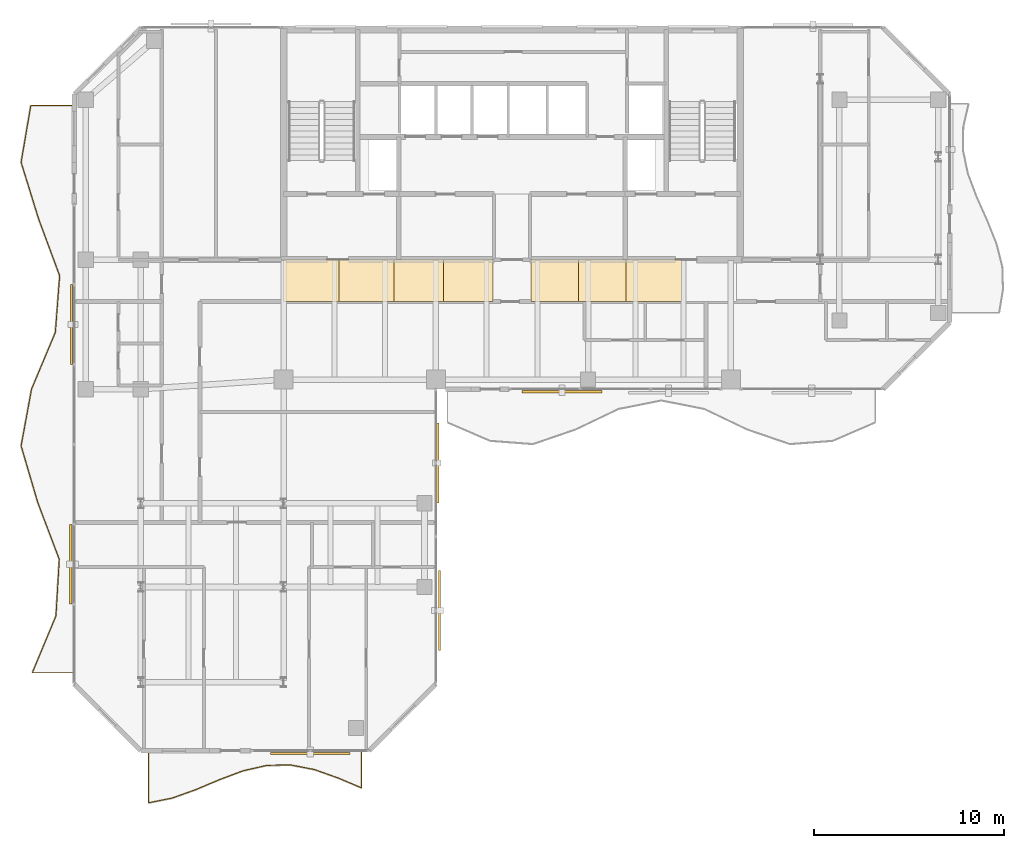
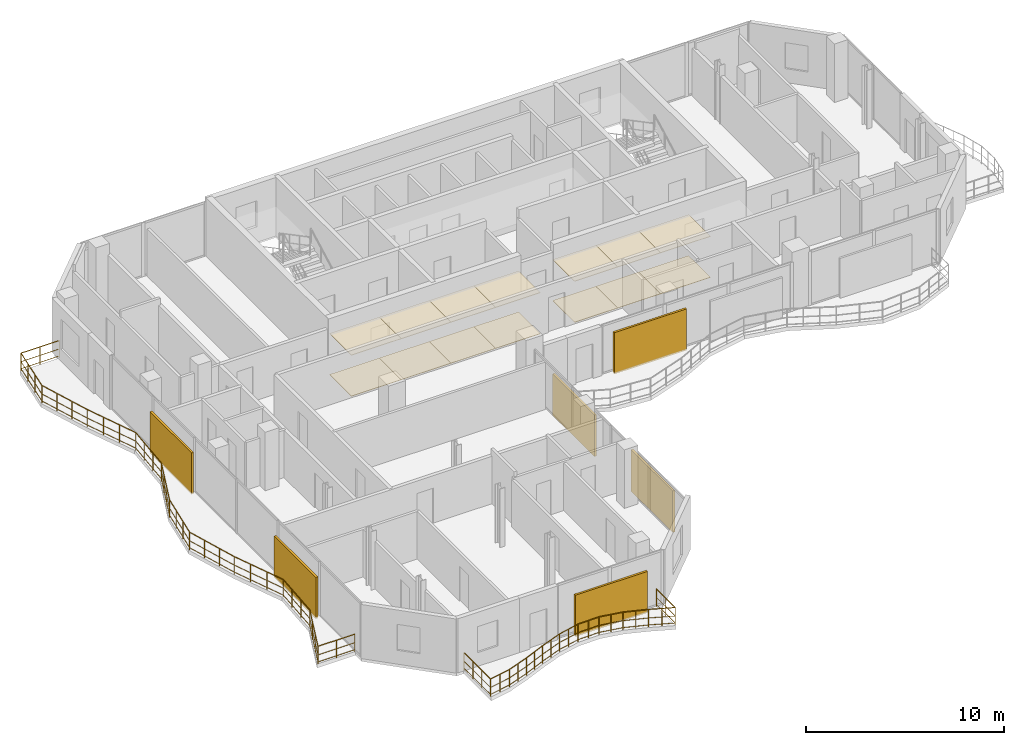
# One storey, part 21 of 23: 14 coverings, 6 shading devices, 2 railings.
"""IFC4 building model written with IfcOpenShell, lengths in metres."""

import ifcopenshell
import ifcopenshell.guid

model = None  # the IFC model being written
_history = None  # IfcOwnerHistory: only IFC2X3 demands one
_inside = {}  # id of a spatial element -> (the spatial element, [elements in it])
_under = {}  # id of a project, library or spatial element -> (it, [spatial elements below it])
_declared = {}  # id of a project -> (the project, [libraries it declares])
_typed = {}  # id of a type object -> (the type object, [elements of that type])
_made_of = {}  # id of a material, layer set ... -> (it, [elements and type objects made of it])


def new_model(schema):
    """Start an empty IFC model of exactly this schema.

    Asked for "IFC4X3", IfcOpenShell would pick the latest addendum, in which some entities
    have other attributes; the version numbers below select the first issue.
    IFC2X3 requires an IfcOwnerHistory on every rooted entity: one is made here for all.
    """
    global model, _history
    if schema == "IFC4X3":
        model = ifcopenshell.file(schema_version=(4, 3, 0, 0))
    else:
        model = ifcopenshell.file(schema=schema)
    _inside.clear()
    _under.clear()
    _declared.clear()
    _typed.clear()
    _made_of.clear()
    _history = None
    if model.schema == "IFC2X3":
        org = make("IfcOrganization", Name="unknown")
        user = make(
            "IfcPersonAndOrganization",
            ThePerson=make("IfcPerson", FamilyName="unknown"),
            TheOrganization=org,
        )
        app = make(
            "IfcApplication",
            ApplicationDeveloper=org,
            Version="unknown",
            ApplicationFullName="unknown",
            ApplicationIdentifier="unknown",
        )
        _history = make(
            "IfcOwnerHistory",
            OwningUser=user,
            OwningApplication=app,
            ChangeAction="ADDED",
            CreationDate=0,
        )
    return model


def make(cls, **values):
    """One entity of the class cls with the attributes given. An attribute that is None is left unset."""
    return model.create_entity(
        cls, **{name: value for name, value in values.items() if value is not None}
    )


def rooted(cls, **values):
    """An entity with a GlobalId (a new one), such as an element, a storey or a relation."""
    return make(cls, GlobalId=ifcopenshell.guid.new(), OwnerHistory=_history, **values)


def si_unit(unit_type, name, prefix=None):
    """IfcSIUnit, for example si_unit("LENGTHUNIT", "METRE", prefix="MILLI")."""
    return make("IfcSIUnit", UnitType=unit_type, Prefix=prefix, Name=name)


def assignment(units):
    """IfcUnitAssignment: the units of a project."""
    return None if units is None else make("IfcUnitAssignment", Units=units)


def point(xyz):
    """IfcCartesianPoint."""
    return None if xyz is None else make("IfcCartesianPoint", Coordinates=xyz)


def direction(xyz):
    """IfcDirection."""
    return None if xyz is None else make("IfcDirection", DirectionRatios=xyz)


def frame(location, z_axis=None, x_axis=None):
    """IfcAxis2Placement3D, a coordinate frame: its origin and axes. An axis left out is left unset."""
    return make(
        "IfcAxis2Placement3D",
        Location=point(location),
        Axis=direction(z_axis),
        RefDirection=direction(x_axis),
    )


def frame_2d(location, x_axis=None):
    """IfcAxis2Placement2D, a coordinate frame in the plane: its origin and x axis."""
    return make(
        "IfcAxis2Placement2D", Location=point(location), RefDirection=direction(x_axis)
    )


def origin():
    """The frame at (0, 0, 0) with its axes left unset."""
    return frame((0.0, 0.0, 0.0))


def origin_2d():
    """The frame at (0, 0) in the plane with its x axis left unset."""
    return frame_2d((0.0, 0.0))


def place(relative_to, where):
    """IfcLocalPlacement: puts the frame where relative to a parent placement (None: the world)."""
    return make(
        "IfcLocalPlacement", PlacementRelTo=relative_to, RelativePlacement=where
    )


def context(
    kind, dimensions, precision=None, world=None, true_north=None, identifier=None
):
    """IfcGeometricRepresentationContext, for example the 3D "Model" context."""
    return make(
        "IfcGeometricRepresentationContext",
        ContextIdentifier=identifier,
        ContextType=kind,
        CoordinateSpaceDimension=dimensions,
        Precision=precision,
        WorldCoordinateSystem=world,
        TrueNorth=true_north,
    )


def subcontext(parent, identifier, kind, view, scale=None):
    """IfcGeometricRepresentationSubContext, for example "Body" below "Model"."""
    return make(
        "IfcGeometricRepresentationSubContext",
        ContextIdentifier=identifier,
        ContextType=kind,
        ParentContext=parent,
        TargetScale=scale,
        TargetView=view,
    )


def project(units=None, contexts=None):
    """IfcProject with its units and contexts."""
    return rooted(
        "IfcProject",
        Name="project",
        RepresentationContexts=contexts,
        UnitsInContext=assignment(units),
    )


def spatial(cls, under=None, at=None, **own):
    """A site, building, storey or space (cls), placed at a placement, below another one or the project."""
    s = rooted(cls, ObjectPlacement=at, **own)
    if under is not None:
        _under.setdefault(under.id(), (under, []))[1].append(s)
    return s


def polyline(points):
    """IfcPolyline through the points."""
    return make("IfcPolyline", Points=[point(p) for p in points])


def profile(cls, at=None, kind="AREA", **sizes):
    """A parametric profile (cls). Its sizes go by their IFC names, for example OverallWidth=200.0."""
    return make(cls, ProfileType=kind, Position=at, **sizes)


def rectangle(**sizes):
    """IfcRectangleProfileDef."""
    return profile("IfcRectangleProfileDef", **sizes)


def circle(**sizes):
    """IfcCircleProfileDef."""
    return profile("IfcCircleProfileDef", **sizes)


def outline(outer, holes=None, kind="AREA"):
    """IfcArbitraryClosedProfileDef: a profile drawn as a closed curve; with holes, ...WithVoids."""
    if holes is None:
        return make("IfcArbitraryClosedProfileDef", ProfileType=kind, OuterCurve=outer)
    return make(
        "IfcArbitraryProfileDefWithVoids",
        ProfileType=kind,
        OuterCurve=outer,
        InnerCurves=holes,
    )


def extrude(swept, where, along, depth):
    """IfcExtrudedAreaSolid: the profile swept, set in the frame where, extruded along a direction by depth."""
    return make(
        "IfcExtrudedAreaSolid",
        SweptArea=swept,
        Position=where,
        ExtrudedDirection=direction(along),
        Depth=depth,
    )


def shape(context_of_items, identifier, shape_type, items):
    """IfcShapeRepresentation: the items that make up one representation, for example the "Body"."""
    return make(
        "IfcShapeRepresentation",
        ContextOfItems=context_of_items,
        RepresentationIdentifier=identifier,
        RepresentationType=shape_type,
        Items=items,
    )


def material(Name=None, Category=None):
    """IfcMaterial."""
    return make("IfcMaterial", Name=Name, Category=Category)


def layer(
    of_material, thickness, ventilated=None, Name=None, Category=None, Priority=None
):
    """IfcMaterialLayer: one layer of a wall or slab, of a material (None: an air gap)."""
    return make(
        "IfcMaterialLayer",
        Material=of_material,
        LayerThickness=thickness,
        IsVentilated=ventilated,
        Name=Name,
        Category=Category,
        Priority=Priority,
    )


def layer_set(layers, Name=None):
    """IfcMaterialLayerSet."""
    return make("IfcMaterialLayerSet", MaterialLayers=layers, LayerSetName=Name)


def made_of(thing, what):
    """Note that an element or type object is made of a material, layer set ...; save() writes the relation."""
    if what is not None:
        _made_of.setdefault(what.id(), (what, []))[1].append(thing)
    return thing


def type_object(cls, material=None, **own):
    """A type object (cls), such as IfcWallType, which elements share."""
    return made_of(rooted(cls, **own), material)


def element(
    cls,
    number,
    at=None,
    inside=None,
    cuts=None,
    type_object=None,
    material=None,
    context=None,
    identifier="Body",
    shape_type=None,
    held_by="IfcProductDefinitionShape",
    body=None,
    shapes=None,
    **own,
):
    """One element of the class cls, such as IfcWall. Its Tag is "e" and its number.

    at: its placement. inside: the storey or other place that contains it. cuts: it is an
    opening in that element (IfcRelVoidsElement). A single representation is given by context,
    identifier, shape_type and body (its items); several are given by shapes. held_by: the class
    of the entity that holds the representations. save() writes the other relations.
    """
    e = rooted(cls, Tag="e%d" % number, ObjectPlacement=at, **own)
    if body is not None:
        shapes = [shape(context, identifier, shape_type, body)]
    if shapes is not None:
        e.Representation = make(held_by, Representations=shapes)
    if inside is not None:
        _inside.setdefault(inside.id(), (inside, []))[1].append(e)
    if cuts is not None:
        rooted(
            "IfcRelVoidsElement", RelatingBuildingElement=cuts, RelatedOpeningElement=e
        )
    if type_object is not None:
        _typed.setdefault(type_object.id(), (type_object, []))[1].append(e)
    return made_of(e, material)


def aggregate(whole, parts):
    """IfcRelAggregates: a whole, such as a stair, and the parts it consists of."""
    return rooted("IfcRelAggregates", RelatingObject=whole, RelatedObjects=parts)


def save(model, path):
    """Write the relations noted so far, then the file.

    IfcRelAggregates (storeys below a building ...), IfcRelContainedInSpatialStructure (elements
    in a storey), IfcRelDefinesByType, IfcRelAssociatesMaterial and IfcRelDeclares: one each for
    every whole, place, type object, material and project.
    """
    for whole, parts in _under.values():
        aggregate(whole, parts)
    for where, things in _inside.values():
        rooted(
            "IfcRelContainedInSpatialStructure",
            RelatedElements=things,
            RelatingStructure=where,
        )
    for kind, things in _typed.values():
        rooted("IfcRelDefinesByType", RelatedObjects=things, RelatingType=kind)
    for what, things in _made_of.values():
        rooted("IfcRelAssociatesMaterial", RelatedObjects=things, RelatingMaterial=what)
    for by, libraries in _declared.values():
        rooted("IfcRelDeclares", RelatingContext=by, RelatedDefinitions=libraries)
    model.write(path)


model = new_model("IFC4")

# Units and contexts
model_context = context("Model", 3, precision=1e-05, world=origin(), true_north=direction((0.0, 1.0)))
body_context = subcontext(model_context, "Body", "Model", "MODEL_VIEW")
ifc_project = project(units=[si_unit("LENGTHUNIT", "METRE"), si_unit("AREAUNIT", "SQUARE_METRE"), si_unit("VOLUMEUNIT", "CUBIC_METRE"), si_unit("PLANEANGLEUNIT", "RADIAN"), si_unit("MASSUNIT", "GRAM", prefix="KILO")], contexts=[model_context])

# Site, building, storey
site_placement = place(None, origin())
site = spatial("IfcSite", under=ifc_project, at=site_placement, CompositionType="ELEMENT")
building_placement = place(site_placement, origin())
building = spatial("IfcBuilding", under=site, at=building_placement, Name="Catumbela Crestline Tower", CompositionType="ELEMENT")
storey_placement = place(building_placement, frame((0.0, 0.0, 190.2)))
storey = spatial("IfcBuildingStorey", under=building, at=storey_placement, Name="L49", CompositionType="ELEMENT", Elevation=190.2)

# Coverings
ifc_material_1 = material(Name="Mineral-fibre acoustic ceiling")
ifc_layer_1 = layer(ifc_material_1, 0.03, Name="Mineral-fibre acoustic ceiling")
ifc_layer_set_1 = layer_set([ifc_layer_1], Name="Mineral-fibre acoustic ceiling")
covering_type_1 = type_object("IfcCoveringType", Name="CC-AC", PredefinedType="CEILING", material=ifc_layer_set_1)
covering_1_placement = place(storey_placement, frame((0.0, 0.0, 2.52)))
element("IfcCovering", 1, at=covering_1_placement, inside=storey, type_object=covering_type_1, Name="L49 Corridor Acoustic Ceiling Bay 1", PredefinedType="CEILING", context=body_context, shape_type="SweptSolid", body=[
    extrude(outline(polyline([(16.0, 28.6), (18.9, 28.6), (18.9, 30.8), (16.0, 30.8), (16.0, 28.6)])), origin(), (0.0, 0.0, 1.0), 0.03),
])
covering_2_placement = place(storey_placement, frame((0.0, 0.0, 2.52)))
element("IfcCovering", 2, at=covering_2_placement, inside=storey, type_object=covering_type_1, Name="L49 Corridor Acoustic Ceiling Bay 2", PredefinedType="CEILING", context=body_context, shape_type="SweptSolid", body=[
    extrude(outline(polyline([(18.9, 28.6), (21.8, 28.6), (21.8, 30.8), (18.9, 30.8), (18.9, 28.6)])), origin(), (0.0, 0.0, 1.0), 0.03),
])
covering_3_placement = place(storey_placement, frame((0.0, 0.0, 2.52)))
element("IfcCovering", 3, at=covering_3_placement, inside=storey, type_object=covering_type_1, Name="L49 Corridor Acoustic Ceiling Bay 3", PredefinedType="CEILING", context=body_context, shape_type="SweptSolid", body=[
    extrude(outline(polyline([(21.8, 28.6), (24.4, 28.6), (24.4, 30.8), (21.8, 30.8), (21.8, 28.6)])), origin(), (0.0, 0.0, 1.0), 0.03),
])
covering_4_placement = place(storey_placement, frame((0.0, 0.0, 2.52)))
element("IfcCovering", 4, at=covering_4_placement, inside=storey, type_object=covering_type_1, Name="L49 Corridor Acoustic Ceiling Bay 4", PredefinedType="CEILING", context=body_context, shape_type="SweptSolid", body=[
    extrude(outline(polyline([(24.4, 28.6), (27.0, 28.6), (27.0, 30.8), (24.4, 30.8), (24.4, 28.6)])), origin(), (0.0, 0.0, 1.0), 0.03),
])
covering_5_placement = place(storey_placement, frame((0.0, 0.0, 2.52)))
element("IfcCovering", 5, at=covering_5_placement, inside=storey, type_object=covering_type_1, Name="L49 Corridor Acoustic Ceiling Bay 5", PredefinedType="CEILING", context=body_context, shape_type="SweptSolid", body=[
    extrude(outline(polyline([(29.0, 28.6), (31.5, 28.6), (31.5, 30.8), (29.0, 30.8), (29.0, 28.6)])), origin(), (0.0, 0.0, 1.0), 0.03),
])
covering_6_placement = place(storey_placement, frame((0.0, 0.0, 2.52)))
element("IfcCovering", 6, at=covering_6_placement, inside=storey, type_object=covering_type_1, Name="L49 Corridor Acoustic Ceiling Bay 6", PredefinedType="CEILING", context=body_context, shape_type="SweptSolid", body=[
    extrude(outline(polyline([(31.5, 28.6), (34.0, 28.6), (34.0, 30.8), (31.5, 30.8), (31.5, 28.6)])), origin(), (0.0, 0.0, 1.0), 0.03),
])
covering_7_placement = place(storey_placement, frame((0.0, 0.0, 2.52)))
element("IfcCovering", 7, at=covering_7_placement, inside=storey, type_object=covering_type_1, Name="L49 Corridor Acoustic Ceiling Bay 7", PredefinedType="CEILING", context=body_context, shape_type="SweptSolid", body=[
    extrude(outline(polyline([(34.0, 28.6), (36.9, 28.6), (36.9, 30.8), (34.0, 30.8), (34.0, 28.6)])), origin(), (0.0, 0.0, 1.0), 0.03),
])
ifc_material_2 = material(Name="Angolan grey-ochre granite", Category="masonry")
ifc_layer_2 = layer(ifc_material_2, 0.025, Name="Angolan grey-ochre granite")
ifc_layer_set_2 = layer_set([ifc_layer_2], Name="Angolan grey-ochre granite")
covering_type_2 = type_object("IfcCoveringType", Name="CF-GR", PredefinedType="FLOORING", material=ifc_layer_set_2)
covering_8_placement = place(storey_placement, origin())
element("IfcCovering", 8, at=covering_8_placement, inside=storey, type_object=covering_type_2, Name="L49 Corridor Granite Flooring Bay 1", PredefinedType="FLOORING", context=body_context, shape_type="SweptSolid", body=[
    extrude(outline(polyline([(16.0, 28.6), (18.9, 28.6), (18.9, 30.8), (16.0, 30.8), (16.0, 28.6)])), origin(), (0.0, 0.0, 1.0), 0.025),
])
covering_9_placement = place(storey_placement, origin())
element("IfcCovering", 9, at=covering_9_placement, inside=storey, type_object=covering_type_2, Name="L49 Corridor Granite Flooring Bay 2", PredefinedType="FLOORING", context=body_context, shape_type="SweptSolid", body=[
    extrude(outline(polyline([(18.9, 28.6), (21.8, 28.6), (21.8, 30.8), (18.9, 30.8), (18.9, 28.6)])), origin(), (0.0, 0.0, 1.0), 0.025),
])
covering_10_placement = place(storey_placement, origin())
element("IfcCovering", 10, at=covering_10_placement, inside=storey, type_object=covering_type_2, Name="L49 Corridor Granite Flooring Bay 3", PredefinedType="FLOORING", context=body_context, shape_type="SweptSolid", body=[
    extrude(outline(polyline([(21.8, 28.6), (24.4, 28.6), (24.4, 30.8), (21.8, 30.8), (21.8, 28.6)])), origin(), (0.0, 0.0, 1.0), 0.025),
])
covering_11_placement = place(storey_placement, origin())
element("IfcCovering", 11, at=covering_11_placement, inside=storey, type_object=covering_type_2, Name="L49 Corridor Granite Flooring Bay 4", PredefinedType="FLOORING", context=body_context, shape_type="SweptSolid", body=[
    extrude(outline(polyline([(24.4, 28.6), (27.0, 28.6), (27.0, 30.8), (24.4, 30.8), (24.4, 28.6)])), origin(), (0.0, 0.0, 1.0), 0.025),
])
covering_12_placement = place(storey_placement, origin())
element("IfcCovering", 12, at=covering_12_placement, inside=storey, type_object=covering_type_2, Name="L49 Corridor Granite Flooring Bay 5", PredefinedType="FLOORING", context=body_context, shape_type="SweptSolid", body=[
    extrude(outline(polyline([(29.0, 28.6), (31.5, 28.6), (31.5, 30.8), (29.0, 30.8), (29.0, 28.6)])), origin(), (0.0, 0.0, 1.0), 0.025),
])
covering_13_placement = place(storey_placement, origin())
element("IfcCovering", 13, at=covering_13_placement, inside=storey, type_object=covering_type_2, Name="L49 Corridor Granite Flooring Bay 6", PredefinedType="FLOORING", context=body_context, shape_type="SweptSolid", body=[
    extrude(outline(polyline([(31.5, 28.6), (34.0, 28.6), (34.0, 30.8), (31.5, 30.8), (31.5, 28.6)])), origin(), (0.0, 0.0, 1.0), 0.025),
])
covering_14_placement = place(storey_placement, origin())
element("IfcCovering", 14, at=covering_14_placement, inside=storey, type_object=covering_type_2, Name="L49 Corridor Granite Flooring Bay 7", PredefinedType="FLOORING", context=body_context, shape_type="SweptSolid", body=[
    extrude(outline(polyline([(34.0, 28.6), (36.9, 28.6), (36.9, 30.8), (34.0, 30.8), (34.0, 28.6)])), origin(), (0.0, 0.0, 1.0), 0.025),
])

# Railings
ifc_material_3 = material(Name="Stainless steel EN 1.4401", Category="steel")
railing_type = type_object("IfcRailingType", Name="RB-1100", PredefinedType="BALUSTRADE", material=ifc_material_3)
railing_1_placement = place(storey_placement, frame((8.9, 4.94, 0.0)))
element("IfcRailing", 15, at=railing_1_placement, inside=storey, type_object=railing_type, Name="L49 Private Wave Balcony Balustrade 3", PredefinedType="BALUSTRADE", context=body_context, shape_type="SweptSolid", body=[
    extrude(circle(Radius=0.024, at=origin_2d()), frame((0.0, 0.0, 1.076), z_axis=(0.0, -1.0, 0.0), x_axis=(1.0, 0.0, 0.0)), (0.0, 0.0, 1.0), 2.6733),
    extrude(circle(Radius=0.0156, at=origin_2d()), frame((0.0, 0.0, 0.55), z_axis=(0.0, -1.0, 0.0), x_axis=(1.0, 0.0, 0.0)), (0.0, 0.0, 1.0), 2.6733),
    extrude(circle(Radius=0.0156, at=origin_2d()), frame((0.0, 0.0, 0.12), z_axis=(0.0, -1.0, 0.0), x_axis=(1.0, 0.0, 0.0)), (0.0, 0.0, 1.0), 2.6733),
    extrude(circle(Radius=0.024, at=origin_2d()), frame((0.0, -2.6733, 1.076), z_axis=(0.980819432038, 0.194918551545, 0.0), x_axis=(-0.194918551545, 0.980819432038, 0.0)), (0.0, 0.0, 1.0), 1.2687),
    extrude(circle(Radius=0.0156, at=origin_2d()), frame((0.0, -2.6733, 0.55), z_axis=(0.980819432038, 0.194918551545, 0.0), x_axis=(-0.194918551545, 0.980819432038, 0.0)), (0.0, 0.0, 1.0), 1.2687),
    extrude(circle(Radius=0.0156, at=origin_2d()), frame((0.0, -2.6733, 0.12), z_axis=(0.980819432038, 0.194918551545, 0.0), x_axis=(-0.194918551545, 0.980819432038, 0.0)), (0.0, 0.0, 1.0), 1.2687),
    extrude(circle(Radius=0.024, at=origin_2d()), frame((1.2444, -2.426, 1.076), z_axis=(0.94149347443, 0.337031211618, 0.0), x_axis=(-0.337031211618, 0.94149347443, 0.0)), (0.0, 0.0, 1.0), 1.3218),
    extrude(circle(Radius=0.0156, at=origin_2d()), frame((1.2444, -2.426, 0.55), z_axis=(0.94149347443, 0.337031211618, 0.0), x_axis=(-0.337031211618, 0.94149347443, 0.0)), (0.0, 0.0, 1.0), 1.3218),
    extrude(circle(Radius=0.0156, at=origin_2d()), frame((1.2444, -2.426, 0.12), z_axis=(0.94149347443, 0.337031211618, 0.0), x_axis=(-0.337031211618, 0.94149347443, 0.0)), (0.0, 0.0, 1.0), 1.3218),
    extrude(circle(Radius=0.024, at=origin_2d()), frame((2.4889, -1.9805, 1.076), z_axis=(0.921279625293, 0.388900825431, 0.0), x_axis=(-0.388900825431, 0.921279625293, 0.0)), (0.0, 0.0, 1.0), 1.3507),
    extrude(circle(Radius=0.0156, at=origin_2d()), frame((2.4889, -1.9805, 0.55), z_axis=(0.921279625293, 0.388900825431, 0.0), x_axis=(-0.388900825431, 0.921279625293, 0.0)), (0.0, 0.0, 1.0), 1.3507),
    extrude(circle(Radius=0.0156, at=origin_2d()), frame((2.4889, -1.9805, 0.12), z_axis=(0.921279625293, 0.388900825431, 0.0), x_axis=(-0.388900825431, 0.921279625293, 0.0)), (0.0, 0.0, 1.0), 1.3507),
    extrude(circle(Radius=0.024, at=origin_2d()), frame((3.7333, -1.4552, 1.076), z_axis=(0.936597979253, 0.350405800836, 0.0), x_axis=(-0.350405800836, 0.936597979253, 0.0)), (0.0, 0.0, 1.0), 1.3287),
    extrude(circle(Radius=0.0156, at=origin_2d()), frame((3.7333, -1.4552, 0.55), z_axis=(0.936597979253, 0.350405800836, 0.0), x_axis=(-0.350405800836, 0.936597979253, 0.0)), (0.0, 0.0, 1.0), 1.3287),
    extrude(circle(Radius=0.0156, at=origin_2d()), frame((3.7333, -1.4552, 0.12), z_axis=(0.936597979253, 0.350405800836, 0.0), x_axis=(-0.350405800836, 0.936597979253, 0.0)), (0.0, 0.0, 1.0), 1.3287),
    extrude(circle(Radius=0.024, at=origin_2d()), frame((4.9778, -0.9896, 1.076), z_axis=(0.975237445725, 0.221160404358, 0.0), x_axis=(-0.221160404358, 0.975237445725, 0.0)), (0.0, 0.0, 1.0), 1.276),
    extrude(circle(Radius=0.0156, at=origin_2d()), frame((4.9778, -0.9896, 0.55), z_axis=(0.975237445725, 0.221160404358, 0.0), x_axis=(-0.221160404358, 0.975237445725, 0.0)), (0.0, 0.0, 1.0), 1.276),
    extrude(circle(Radius=0.0156, at=origin_2d()), frame((4.9778, -0.9896, 0.12), z_axis=(0.975237445725, 0.221160404358, 0.0), x_axis=(-0.221160404358, 0.975237445725, 0.0)), (0.0, 0.0, 1.0), 1.276),
    extrude(circle(Radius=0.024, at=origin_2d()), frame((6.2222, -0.7074, 1.076), z_axis=(0.999815644587, 0.019200959346, 0.0), x_axis=(-0.019200959346, 0.999815644587, 0.0)), (0.0, 0.0, 1.0), 1.2447),
    extrude(circle(Radius=0.0156, at=origin_2d()), frame((6.2222, -0.7074, 0.55), z_axis=(0.999815644587, 0.019200959346, 0.0), x_axis=(-0.019200959346, 0.999815644587, 0.0)), (0.0, 0.0, 1.0), 1.2447),
    extrude(circle(Radius=0.0156, at=origin_2d()), frame((6.2222, -0.7074, 0.12), z_axis=(0.999815644587, 0.019200959346, 0.0), x_axis=(-0.019200959346, 0.999815644587, 0.0)), (0.0, 0.0, 1.0), 1.2447),
    extrude(circle(Radius=0.024, at=origin_2d()), frame((7.4667, -0.6835, 1.076), z_axis=(0.981772727961, -0.190058703123, 0.0), x_axis=(0.190058703123, 0.981772727961, 0.0)), (0.0, 0.0, 1.0), 1.2675),
    extrude(circle(Radius=0.0156, at=origin_2d()), frame((7.4667, -0.6835, 0.55), z_axis=(0.981772727961, -0.190058703123, 0.0), x_axis=(0.190058703123, 0.981772727961, 0.0)), (0.0, 0.0, 1.0), 1.2675),
    extrude(circle(Radius=0.0156, at=origin_2d()), frame((7.4667, -0.6835, 0.12), z_axis=(0.981772727961, -0.190058703123, 0.0), x_axis=(0.190058703123, 0.981772727961, 0.0)), (0.0, 0.0, 1.0), 1.2675),
    extrude(circle(Radius=0.024, at=origin_2d()), frame((8.7111, -0.9244, 1.076), z_axis=(0.942450839963, -0.334344753591, 0.0), x_axis=(0.334344753591, 0.942450839963, 0.0)), (0.0, 0.0, 1.0), 1.3205),
    extrude(circle(Radius=0.0156, at=origin_2d()), frame((8.7111, -0.9244, 0.55), z_axis=(0.942450839963, -0.334344753591, 0.0), x_axis=(0.334344753591, 0.942450839963, 0.0)), (0.0, 0.0, 1.0), 1.3205),
    extrude(circle(Radius=0.0156, at=origin_2d()), frame((8.7111, -0.9244, 0.12), z_axis=(0.942450839963, -0.334344753591, 0.0), x_axis=(0.334344753591, 0.942450839963, 0.0)), (0.0, 0.0, 1.0), 1.3205),
    extrude(circle(Radius=0.024, at=origin_2d()), frame((9.9556, -1.3659, 1.076), z_axis=(0.921359189048, -0.388712290462, 0.0), x_axis=(0.388712290462, 0.921359189048, 0.0)), (0.0, 0.0, 1.0), 1.3506),
    extrude(circle(Radius=0.0156, at=origin_2d()), frame((9.9556, -1.3659, 0.55), z_axis=(0.921359189048, -0.388712290462, 0.0), x_axis=(0.388712290462, 0.921359189048, 0.0)), (0.0, 0.0, 1.0), 1.3506),
    extrude(circle(Radius=0.0156, at=origin_2d()), frame((9.9556, -1.3659, 0.12), z_axis=(0.921359189048, -0.388712290462, 0.0), x_axis=(0.388712290462, 0.921359189048, 0.0)), (0.0, 0.0, 1.0), 1.3506),
    extrude(circle(Radius=0.024, at=origin_2d()), frame((11.2, -1.8909, 1.076), z_axis=(0.0, 1.0, 0.0), x_axis=(-1.0, 0.0, 0.0)), (0.0, 0.0, 1.0), 1.8909),
    extrude(circle(Radius=0.0156, at=origin_2d()), frame((11.2, -1.8909, 0.55), z_axis=(0.0, 1.0, 0.0), x_axis=(-1.0, 0.0, 0.0)), (0.0, 0.0, 1.0), 1.8909),
    extrude(circle(Radius=0.0156, at=origin_2d()), frame((11.2, -1.8909, 0.12), z_axis=(0.0, 1.0, 0.0), x_axis=(-1.0, 0.0, 0.0)), (0.0, 0.0, 1.0), 1.8909),
    extrude(circle(Radius=0.021, at=origin_2d()), origin(), (0.0, 0.0, 1.0), 1.052),
    extrude(circle(Radius=0.021, at=origin_2d()), frame((0.0, -0.8911, 0.0)), (0.0, 0.0, 1.0), 1.052),
    extrude(circle(Radius=0.021, at=origin_2d()), frame((0.0, -1.7822, 0.0)), (0.0, 0.0, 1.0), 1.052),
    extrude(circle(Radius=0.021, at=origin_2d()), frame((0.0, -2.6733, 0.0)), (0.0, 0.0, 1.0), 1.052),
    extrude(circle(Radius=0.021, at=origin_2d()), frame((0.6222, -2.5497, 0.0)), (0.0, 0.0, 1.0), 1.052),
    extrude(circle(Radius=0.021, at=origin_2d()), frame((1.2444, -2.426, 0.0)), (0.0, 0.0, 1.0), 1.052),
    extrude(circle(Radius=0.021, at=origin_2d()), frame((1.8666, -2.2033, 0.0)), (0.0, 0.0, 1.0), 1.052),
    extrude(circle(Radius=0.021, at=origin_2d()), frame((2.4889, -1.9805, 0.0)), (0.0, 0.0, 1.0), 1.052),
    extrude(circle(Radius=0.021, at=origin_2d()), frame((3.1111, -1.7179, 0.0)), (0.0, 0.0, 1.0), 1.052),
    extrude(circle(Radius=0.021, at=origin_2d()), frame((3.7333, -1.4552, 0.0)), (0.0, 0.0, 1.0), 1.052),
    extrude(circle(Radius=0.021, at=origin_2d()), frame((4.3556, -1.2224, 0.0)), (0.0, 0.0, 1.0), 1.052),
    extrude(circle(Radius=0.021, at=origin_2d()), frame((4.9778, -0.9896, 0.0)), (0.0, 0.0, 1.0), 1.052),
    extrude(circle(Radius=0.021, at=origin_2d()), frame((5.6, -0.8485, 0.0)), (0.0, 0.0, 1.0), 1.052),
    extrude(circle(Radius=0.021, at=origin_2d()), frame((6.2222, -0.7074, 0.0)), (0.0, 0.0, 1.0), 1.052),
    extrude(circle(Radius=0.021, at=origin_2d()), frame((6.8444, -0.6955, 0.0)), (0.0, 0.0, 1.0), 1.052),
    extrude(circle(Radius=0.021, at=origin_2d()), frame((7.4667, -0.6835, 0.0)), (0.0, 0.0, 1.0), 1.052),
    extrude(circle(Radius=0.021, at=origin_2d()), frame((8.0889, -0.804, 0.0)), (0.0, 0.0, 1.0), 1.052),
    extrude(circle(Radius=0.021, at=origin_2d()), frame((8.7111, -0.9244, 0.0)), (0.0, 0.0, 1.0), 1.052),
    extrude(circle(Radius=0.021, at=origin_2d()), frame((9.3334, -1.1452, 0.0)), (0.0, 0.0, 1.0), 1.052),
    extrude(circle(Radius=0.021, at=origin_2d()), frame((9.9556, -1.3659, 0.0)), (0.0, 0.0, 1.0), 1.052),
    extrude(circle(Radius=0.021, at=origin_2d()), frame((10.5778, -1.6284, 0.0)), (0.0, 0.0, 1.0), 1.052),
    extrude(circle(Radius=0.021, at=origin_2d()), frame((11.2, -1.8909, 0.0)), (0.0, 0.0, 1.0), 1.052),
    extrude(circle(Radius=0.021, at=origin_2d()), frame((11.2, -0.9455, 0.0)), (0.0, 0.0, 1.0), 1.052),
    extrude(circle(Radius=0.021, at=origin_2d()), frame((11.2, 0.0, 0.0)), (0.0, 0.0, 1.0), 1.052),
])
railing_2_placement = place(storey_placement, frame((4.94, 38.9, 0.0)))
element("IfcRailing", 16, at=railing_2_placement, inside=storey, type_object=railing_type, Name="L49 Private Wave Balcony Balustrade 4", PredefinedType="BALUSTRADE", context=body_context, shape_type="SweptSolid", body=[
    extrude(circle(Radius=0.024, at=origin_2d()), frame((0.0, 0.0, 1.076), z_axis=(-1.0, 0.0, 0.0), x_axis=(0.0, -1.0, 0.0)), (0.0, 0.0, 1.0), 2.2217),
    extrude(circle(Radius=0.0156, at=origin_2d()), frame((0.0, 0.0, 0.55), z_axis=(-1.0, 0.0, 0.0), x_axis=(0.0, -1.0, 0.0)), (0.0, 0.0, 1.0), 2.2217),
    extrude(circle(Radius=0.0156, at=origin_2d()), frame((0.0, 0.0, 0.12), z_axis=(-1.0, 0.0, 0.0), x_axis=(0.0, -1.0, 0.0)), (0.0, 0.0, 1.0), 2.2217),
    extrude(circle(Radius=0.024, at=origin_2d()), frame((-2.2217, 0.0, 1.076), z_axis=(-0.168142020706, -0.985762781237, 0.0), x_axis=(0.985762781237, -0.168142020706, 0.0)), (0.0, 0.0, 1.0), 3.023),
    extrude(circle(Radius=0.0156, at=origin_2d()), frame((-2.2217, 0.0, 0.55), z_axis=(-0.168142020706, -0.985762781237, 0.0), x_axis=(0.985762781237, -0.168142020706, 0.0)), (0.0, 0.0, 1.0), 3.023),
    extrude(circle(Radius=0.0156, at=origin_2d()), frame((-2.2217, 0.0, 0.12), z_axis=(-0.168142020706, -0.985762781237, 0.0), x_axis=(0.985762781237, -0.168142020706, 0.0)), (0.0, 0.0, 1.0), 3.023),
    extrude(circle(Radius=0.024, at=origin_2d()), frame((-2.73, -2.98, 1.076), z_axis=(0.295279666296, -0.955410863803, 0.0), x_axis=(0.955410863803, 0.295279666296, 0.0)), (0.0, 0.0, 1.0), 3.1191),
    extrude(circle(Radius=0.0156, at=origin_2d()), frame((-2.73, -2.98, 0.55), z_axis=(0.295279666296, -0.955410863803, 0.0), x_axis=(0.955410863803, 0.295279666296, 0.0)), (0.0, 0.0, 1.0), 3.1191),
    extrude(circle(Radius=0.0156, at=origin_2d()), frame((-2.73, -2.98, 0.12), z_axis=(0.295279666296, -0.955410863803, 0.0), x_axis=(0.955410863803, 0.295279666296, 0.0)), (0.0, 0.0, 1.0), 3.1191),
    extrude(circle(Radius=0.024, at=origin_2d()), frame((-1.809, -5.96, 1.076), z_axis=(0.347700652861, -0.937605597253, 0.0), x_axis=(0.937605597253, 0.347700652861, 0.0)), (0.0, 0.0, 1.0), 3.1783),
    extrude(circle(Radius=0.0156, at=origin_2d()), frame((-1.809, -5.96, 0.55), z_axis=(0.347700652861, -0.937605597253, 0.0), x_axis=(0.937605597253, 0.347700652861, 0.0)), (0.0, 0.0, 1.0), 3.1783),
    extrude(circle(Radius=0.0156, at=origin_2d()), frame((-1.809, -5.96, 0.12), z_axis=(0.347700652861, -0.937605597253, 0.0), x_axis=(0.937605597253, 0.347700652861, 0.0)), (0.0, 0.0, 1.0), 3.1783),
    extrude(circle(Radius=0.024, at=origin_2d()), frame((-0.7039, -8.94, 1.076), z_axis=(-0.076386901012, -0.997078252372, 0.0), x_axis=(0.997078252372, -0.076386901012, 0.0)), (0.0, 0.0, 1.0), 2.9887),
    extrude(circle(Radius=0.0156, at=origin_2d()), frame((-0.7039, -8.94, 0.55), z_axis=(-0.076386901012, -0.997078252372, 0.0), x_axis=(0.997078252372, -0.076386901012, 0.0)), (0.0, 0.0, 1.0), 2.9887),
    extrude(circle(Radius=0.0156, at=origin_2d()), frame((-0.7039, -8.94, 0.12), z_axis=(-0.076386901012, -0.997078252372, 0.0), x_axis=(0.997078252372, -0.076386901012, 0.0)), (0.0, 0.0, 1.0), 2.9887),
    extrude(circle(Radius=0.024, at=origin_2d()), frame((-0.9322, -11.92, 1.076), z_axis=(-0.386785252451, -0.922169815428, 0.0), x_axis=(0.922169815428, -0.386785252451, 0.0)), (0.0, 0.0, 1.0), 3.2315),
    extrude(circle(Radius=0.0156, at=origin_2d()), frame((-0.9322, -11.92, 0.55), z_axis=(-0.386785252451, -0.922169815428, 0.0), x_axis=(0.922169815428, -0.386785252451, 0.0)), (0.0, 0.0, 1.0), 3.2315),
    extrude(circle(Radius=0.0156, at=origin_2d()), frame((-0.9322, -11.92, 0.12), z_axis=(-0.386785252451, -0.922169815428, 0.0), x_axis=(0.922169815428, -0.386785252451, 0.0)), (0.0, 0.0, 1.0), 3.2315),
    extrude(circle(Radius=0.024, at=origin_2d()), frame((-2.1821, -14.9, 1.076), z_axis=(-0.180828092002, -0.983514718315, 0.0), x_axis=(0.983514718315, -0.180828092002, 0.0)), (0.0, 0.0, 1.0), 3.0299),
    extrude(circle(Radius=0.0156, at=origin_2d()), frame((-2.1821, -14.9, 0.55), z_axis=(-0.180828092002, -0.983514718315, 0.0), x_axis=(0.983514718315, -0.180828092002, 0.0)), (0.0, 0.0, 1.0), 3.0299),
    extrude(circle(Radius=0.0156, at=origin_2d()), frame((-2.1821, -14.9, 0.12), z_axis=(-0.180828092002, -0.983514718315, 0.0), x_axis=(0.983514718315, -0.180828092002, 0.0)), (0.0, 0.0, 1.0), 3.0299),
    extrude(circle(Radius=0.024, at=origin_2d()), frame((-2.73, -17.88, 1.076), z_axis=(0.282086144934, -0.959389080007, 0.0), x_axis=(0.959389080007, 0.282086144934, 0.0)), (0.0, 0.0, 1.0), 3.1061),
    extrude(circle(Radius=0.0156, at=origin_2d()), frame((-2.73, -17.88, 0.55), z_axis=(0.282086144934, -0.959389080007, 0.0), x_axis=(0.959389080007, 0.282086144934, 0.0)), (0.0, 0.0, 1.0), 3.1061),
    extrude(circle(Radius=0.0156, at=origin_2d()), frame((-2.73, -17.88, 0.12), z_axis=(0.282086144934, -0.959389080007, 0.0), x_axis=(0.959389080007, 0.282086144934, 0.0)), (0.0, 0.0, 1.0), 3.1061),
    extrude(circle(Radius=0.024, at=origin_2d()), frame((-1.8538, -20.86, 1.076), z_axis=(0.35447734323, -0.935064603723, 0.0), x_axis=(0.935064603723, 0.35447734323, 0.0)), (0.0, 0.0, 1.0), 3.1869),
    extrude(circle(Radius=0.0156, at=origin_2d()), frame((-1.8538, -20.86, 0.55), z_axis=(0.35447734323, -0.935064603723, 0.0), x_axis=(0.935064603723, 0.35447734323, 0.0)), (0.0, 0.0, 1.0), 3.1869),
    extrude(circle(Radius=0.0156, at=origin_2d()), frame((-1.8538, -20.86, 0.12), z_axis=(0.35447734323, -0.935064603723, 0.0), x_axis=(0.935064603723, 0.35447734323, 0.0)), (0.0, 0.0, 1.0), 3.1869),
    extrude(circle(Radius=0.024, at=origin_2d()), frame((-0.7241, -23.84, 1.076), z_axis=(-0.059024430229, -0.998256538489, 0.0), x_axis=(0.998256538489, -0.059024430229, 0.0)), (0.0, 0.0, 1.0), 2.9852),
    extrude(circle(Radius=0.0156, at=origin_2d()), frame((-0.7241, -23.84, 0.55), z_axis=(-0.059024430229, -0.998256538489, 0.0), x_axis=(0.998256538489, -0.059024430229, 0.0)), (0.0, 0.0, 1.0), 2.9852),
    extrude(circle(Radius=0.0156, at=origin_2d()), frame((-0.7241, -23.84, 0.12), z_axis=(-0.059024430229, -0.998256538489, 0.0), x_axis=(0.998256538489, -0.059024430229, 0.0)), (0.0, 0.0, 1.0), 2.9852),
    extrude(circle(Radius=0.024, at=origin_2d()), frame((-0.9003, -26.82, 1.076), z_axis=(-0.384518602011, -0.923117243208, 0.0), x_axis=(0.923117243208, -0.384518602011, 0.0)), (0.0, 0.0, 1.0), 3.2282),
    extrude(circle(Radius=0.0156, at=origin_2d()), frame((-0.9003, -26.82, 0.55), z_axis=(-0.384518602011, -0.923117243208, 0.0), x_axis=(0.923117243208, -0.384518602011, 0.0)), (0.0, 0.0, 1.0), 3.2282),
    extrude(circle(Radius=0.0156, at=origin_2d()), frame((-0.9003, -26.82, 0.12), z_axis=(-0.384518602011, -0.923117243208, 0.0), x_axis=(0.923117243208, -0.384518602011, 0.0)), (0.0, 0.0, 1.0), 3.2282),
    extrude(circle(Radius=0.024, at=origin_2d()), frame((-2.1416, -29.8, 1.076), z_axis=(1.0, 0.0, 0.0), x_axis=(0.0, 1.0, 0.0)), (0.0, 0.0, 1.0), 2.1416),
    extrude(circle(Radius=0.0156, at=origin_2d()), frame((-2.1416, -29.8, 0.55), z_axis=(1.0, 0.0, 0.0), x_axis=(0.0, 1.0, 0.0)), (0.0, 0.0, 1.0), 2.1416),
    extrude(circle(Radius=0.0156, at=origin_2d()), frame((-2.1416, -29.8, 0.12), z_axis=(1.0, 0.0, 0.0), x_axis=(0.0, 1.0, 0.0)), (0.0, 0.0, 1.0), 2.1416),
    extrude(circle(Radius=0.021, at=origin_2d()), origin(), (0.0, 0.0, 1.0), 1.052),
    extrude(circle(Radius=0.021, at=origin_2d()), frame((-1.1109, 0.0, 0.0)), (0.0, 0.0, 1.0), 1.052),
    extrude(circle(Radius=0.021, at=origin_2d()), frame((-2.2217, 0.0, 0.0)), (0.0, 0.0, 1.0), 1.052),
    extrude(circle(Radius=0.021, at=origin_2d()), frame((-2.3911, -0.9933, 0.0)), (0.0, 0.0, 1.0), 1.052),
    extrude(circle(Radius=0.021, at=origin_2d()), frame((-2.5606, -1.9867, 0.0)), (0.0, 0.0, 1.0), 1.052),
    extrude(circle(Radius=0.021, at=origin_2d()), frame((-2.73, -2.98, 0.0)), (0.0, 0.0, 1.0), 1.052),
    extrude(circle(Radius=0.021, at=origin_2d()), frame((-2.423, -3.9733, 0.0)), (0.0, 0.0, 1.0), 1.052),
    extrude(circle(Radius=0.021, at=origin_2d()), frame((-2.116, -4.9667, 0.0)), (0.0, 0.0, 1.0), 1.052),
    extrude(circle(Radius=0.021, at=origin_2d()), frame((-1.809, -5.96, 0.0)), (0.0, 0.0, 1.0), 1.052),
    extrude(circle(Radius=0.021, at=origin_2d()), frame((-1.4406, -6.9533, 0.0)), (0.0, 0.0, 1.0), 1.052),
    extrude(circle(Radius=0.021, at=origin_2d()), frame((-1.0723, -7.9467, 0.0)), (0.0, 0.0, 1.0), 1.052),
    extrude(circle(Radius=0.021, at=origin_2d()), frame((-0.7039, -8.94, 0.0)), (0.0, 0.0, 1.0), 1.052),
    extrude(circle(Radius=0.021, at=origin_2d()), frame((-0.78, -9.9333, 0.0)), (0.0, 0.0, 1.0), 1.052),
    extrude(circle(Radius=0.021, at=origin_2d()), frame((-0.8561, -10.9267, 0.0)), (0.0, 0.0, 1.0), 1.052),
    extrude(circle(Radius=0.021, at=origin_2d()), frame((-0.9322, -11.92, 0.0)), (0.0, 0.0, 1.0), 1.052),
    extrude(circle(Radius=0.021, at=origin_2d()), frame((-1.3488, -12.9133, 0.0)), (0.0, 0.0, 1.0), 1.052),
    extrude(circle(Radius=0.021, at=origin_2d()), frame((-1.7655, -13.9067, 0.0)), (0.0, 0.0, 1.0), 1.052),
    extrude(circle(Radius=0.021, at=origin_2d()), frame((-2.1821, -14.9, 0.0)), (0.0, 0.0, 1.0), 1.052),
    extrude(circle(Radius=0.021, at=origin_2d()), frame((-2.3647, -15.8933, 0.0)), (0.0, 0.0, 1.0), 1.052),
    extrude(circle(Radius=0.021, at=origin_2d()), frame((-2.5474, -16.8867, 0.0)), (0.0, 0.0, 1.0), 1.052),
    extrude(circle(Radius=0.021, at=origin_2d()), frame((-2.73, -17.88, 0.0)), (0.0, 0.0, 1.0), 1.052),
    extrude(circle(Radius=0.021, at=origin_2d()), frame((-2.4379, -18.8733, 0.0)), (0.0, 0.0, 1.0), 1.052),
    extrude(circle(Radius=0.021, at=origin_2d()), frame((-2.1459, -19.8667, 0.0)), (0.0, 0.0, 1.0), 1.052),
    extrude(circle(Radius=0.021, at=origin_2d()), frame((-1.8538, -20.86, 0.0)), (0.0, 0.0, 1.0), 1.052),
    extrude(circle(Radius=0.021, at=origin_2d()), frame((-1.4772, -21.8533, 0.0)), (0.0, 0.0, 1.0), 1.052),
    extrude(circle(Radius=0.021, at=origin_2d()), frame((-1.1007, -22.8467, 0.0)), (0.0, 0.0, 1.0), 1.052),
    extrude(circle(Radius=0.021, at=origin_2d()), frame((-0.7241, -23.84, 0.0)), (0.0, 0.0, 1.0), 1.052),
    extrude(circle(Radius=0.021, at=origin_2d()), frame((-0.7828, -24.8333, 0.0)), (0.0, 0.0, 1.0), 1.052),
    extrude(circle(Radius=0.021, at=origin_2d()), frame((-0.8416, -25.8267, 0.0)), (0.0, 0.0, 1.0), 1.052),
    extrude(circle(Radius=0.021, at=origin_2d()), frame((-0.9003, -26.82, 0.0)), (0.0, 0.0, 1.0), 1.052),
    extrude(circle(Radius=0.021, at=origin_2d()), frame((-1.3141, -27.8133, 0.0)), (0.0, 0.0, 1.0), 1.052),
    extrude(circle(Radius=0.021, at=origin_2d()), frame((-1.7278, -28.8067, 0.0)), (0.0, 0.0, 1.0), 1.052),
    extrude(circle(Radius=0.021, at=origin_2d()), frame((-2.1416, -29.8, 0.0)), (0.0, 0.0, 1.0), 1.052),
    extrude(circle(Radius=0.021, at=origin_2d()), frame((-1.0708, -29.8, 0.0)), (0.0, 0.0, 1.0), 1.052),
    extrude(circle(Radius=0.021, at=origin_2d()), frame((0.0, -29.8, 0.0)), (0.0, 0.0, 1.0), 1.052),
])

# Shading devices
ifc_material_4 = material(Name="Extruded terracotta ceramic", Category="masonry")
shading_device_type_1 = type_object("IfcShadingDeviceType", Name="ST-180", PredefinedType="USERDEFINED", material=ifc_material_4)
shading_device_placement = place(storey_placement, frame((24.099, 20.125, -0.1), z_axis=(0.0, 0.0, 1.0), x_axis=(0.0, 1.0, 0.0)))
element("IfcShadingDevice", 17, at=shading_device_placement, inside=storey, type_object=shading_device_type_1, Name="L49 Perforated Terracotta Solar Screen 578 (180 mm)", ObjectType="SCREEN", PredefinedType="USERDEFINED", context=body_context, shape_type="SweptSolid", body=[
    extrude(rectangle(XDim=4.2, YDim=0.12, at=origin_2d()), origin(), (0.0, 0.0, 1.0), 2.55),
])
shading_device_type_2 = type_object("IfcShadingDeviceType", Name="ST-260", PredefinedType="USERDEFINED", material=ifc_material_4)
for number, where, z_axis, x_axis, name in (
    (18, (17.4, 4.857, -0.1), (0.0, 0.0, 1.0), (1.0, 0.0, 0.0), "L49 Perforated Terracotta Solar Screen 576 (260 mm)"),
    (19, (30.6375, 23.857, -0.1), (0.0, 0.0, 1.0), (1.0, 0.0, 0.0), "L49 Perforated Terracotta Solar Screen 579 (260 mm)"),
    (20, (4.857, 27.4, -0.1), (0.0, 0.0, 1.0), (0.0, -1.0, 0.0), "L49 Perforated Terracotta Solar Screen 585 (260 mm)"),
):
    element("IfcShadingDevice", number, at=place(storey_placement, frame(where, z_axis=z_axis, x_axis=x_axis)), inside=storey, type_object=shading_device_type_2, Name=name, ObjectType="SCREEN", PredefinedType="USERDEFINED", context=body_context, shape_type="SweptSolid", body=[
        extrude(rectangle(XDim=4.2, YDim=0.12, at=origin_2d()), origin(), (0.0, 0.0, 1.0), 2.55),
    ])
shading_device_type_3 = type_object("IfcShadingDeviceType", Name="ST-340", PredefinedType="USERDEFINED", material=ifc_material_4)
for number, where, z_axis, x_axis, name in (
    (21, (24.187, 12.375, -0.1), (0.0, 0.0, 1.0), (0.0, 1.0, 0.0), "L49 Perforated Terracotta Solar Screen 577 (340 mm)"),
    (22, (4.813, 14.8, -0.1), (0.0, 0.0, 1.0), (0.0, -1.0, 0.0), "L49 Perforated Terracotta Solar Screen 586 (340 mm)"),
):
    element("IfcShadingDevice", number, at=place(storey_placement, frame(where, z_axis=z_axis, x_axis=x_axis)), inside=storey, type_object=shading_device_type_3, Name=name, ObjectType="SCREEN", PredefinedType="USERDEFINED", context=body_context, shape_type="SweptSolid", body=[
        extrude(rectangle(XDim=4.2, YDim=0.12, at=origin_2d()), origin(), (0.0, 0.0, 1.0), 2.55),
    ])

save(model, "model.ifc")
